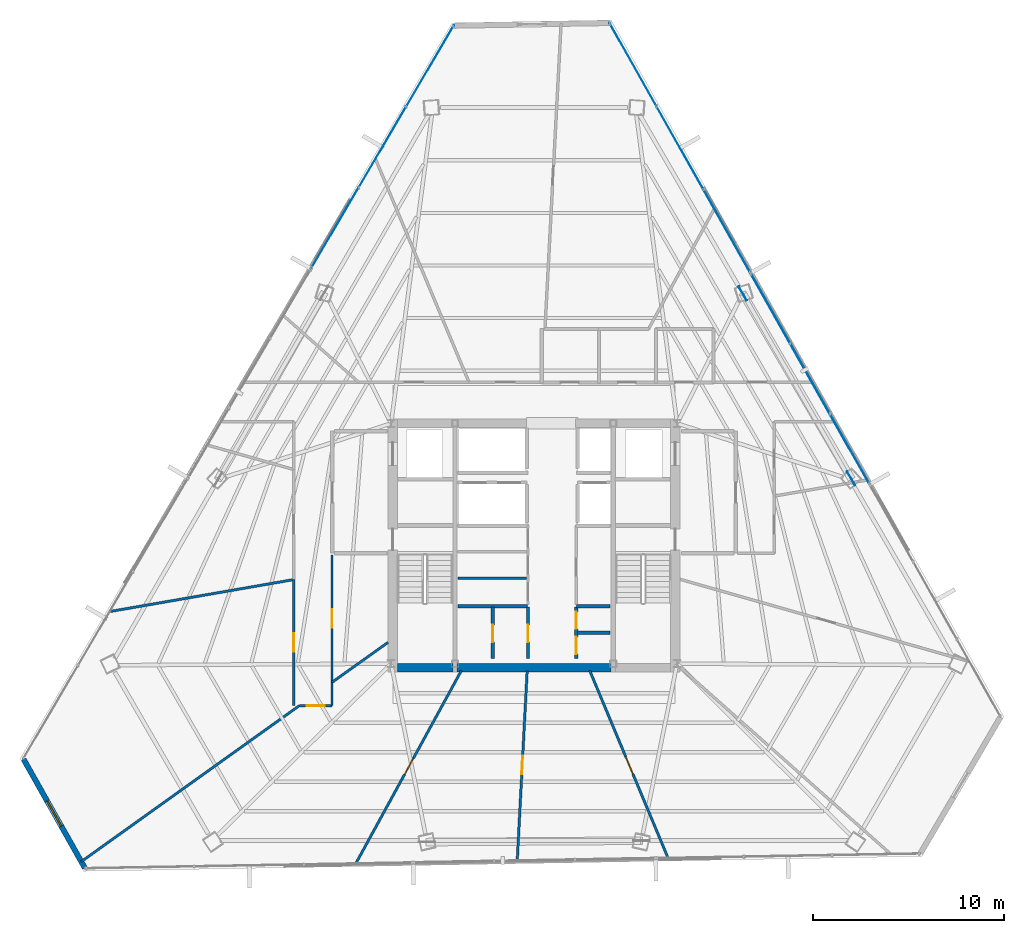
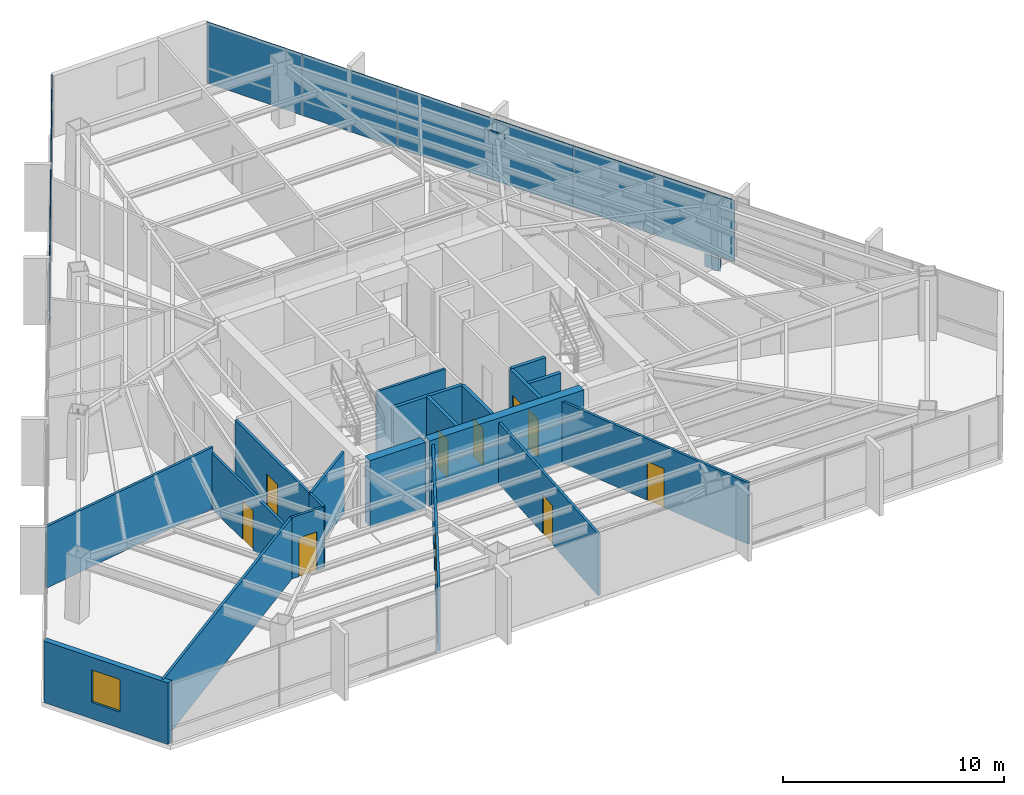
# One storey, part 35 of 42: 20 walls, 11 plates, 10 doors, 1 window, 11 openings, 3 elements without a shape of their own.
"""IFC4 building model written with IfcOpenShell, lengths in metres."""

from ifc_helpers import new_model, si_unit, direction, frame, frame_2d, origin, origin_2d, place, context, subcontext, project, spatial, rectangle, extrude, source, transform, mapped, material, layer, layer_set, type_object, type_shapes, element, fill, aggregate, save


model = new_model("IFC4")

# Units and contexts
model_context = context("Model", 3, precision=1e-05, world=origin(), true_north=direction((0.0, 1.0)))
body_context = subcontext(model_context, "Body", "Model", "MODEL_VIEW")
ifc_project = project(units=[si_unit("LENGTHUNIT", "METRE"), si_unit("AREAUNIT", "SQUARE_METRE"), si_unit("VOLUMEUNIT", "CUBIC_METRE"), si_unit("PLANEANGLEUNIT", "RADIAN"), si_unit("MASSUNIT", "GRAM", prefix="KILO")], contexts=[model_context])

# Site, building, storey
site_placement = place(None, origin())
site = spatial("IfcSite", under=ifc_project, at=site_placement, CompositionType="ELEMENT")
building_placement = place(site_placement, origin())
building = spatial("IfcBuilding", under=site, at=building_placement, Name="Caelisora Broadcast Tower", CompositionType="ELEMENT")
storey_placement = place(building_placement, frame((0.0, 0.0, 191.35009765625)))
storey = spatial("IfcBuildingStorey", under=building, at=storey_placement, Name="L50", CompositionType="ELEMENT", Elevation=191.35009765625)

# Plates
ifc_material_1 = material(Name="Steel Grade 350 L15 (AS/NZS 3678)", Category="steel")
ifc_layer_1 = layer(ifc_material_1, 0.0400390625, Name="Steel Grade 350 L15 (AS/NZS 3678)")
ifc_layer_set_1 = layer_set([ifc_layer_1], Name="Steel Grade 350 L15 (AS/NZS 3678)")
plate_type_1 = type_object("IfcPlateType", Name="GP04", PredefinedType="USERDEFINED", material=ifc_layer_set_1)
shared_shape_1 = source(origin(), body_context, "Body", "SweptSolid", [
    extrude(rectangle(XDim=0.85009765625, YDim=0.0400390625, at=origin_2d()), origin(), (0.0, 0.0, 1.0), 0.699951171875),
])
type_shapes(plate_type_1, [shared_shape_1])
for number, where, z_axis, x_axis, name in (
    (1, (54.625, 27.11767578125, -0.22998046875), (0.0, 0.0, 1.0), (-0.5, 0.866025403784, 0.0), "L50 gusset plate GP04 (ND-L50-C10B)"),
    (2, (48.941650390625, 36.81689453125, 2.72998046875), (0.0, 0.0, 1.0), (-0.5, 0.866025403784, 0.0), "L50 gusset plate GP04 (ND-L50-C11T)"),
):
    element("IfcPlate", number, at=place(storey_placement, frame(where, z_axis=z_axis, x_axis=x_axis)), inside=storey, type_object=plate_type_1, Name=name, ObjectType="GUSSET PLATE", PredefinedType="USERDEFINED", context=body_context, shape_type="MappedRepresentation", body=[
        mapped(shared_shape_1, transform((0.0, 0.0, 0.0), scale=1.0)),
    ])

# Curtain wall, plates
ifc_material_2 = material(Name="Unitised Aluminium and Low-E Glass Curtain Wall", Category="glass")
curtain_wall_type_1 = type_object("IfcCurtainWallType", Name="CW-Z4", PredefinedType="NOTDEFINED", material=ifc_material_2)
curtain_wall_1_placement = place(storey_placement, origin())
curtain_wall_1 = element("IfcCurtainWall", 3, at=curtain_wall_1_placement, inside=storey, type_object=curtain_wall_type_1, Name="L50 curtain wall CW-Z4", PredefinedType="NOTDEFINED")
ifc_material_3 = material(Name="Double Glazed Low-E Argon IGU", Category="glass")
ifc_layer_2 = layer(ifc_material_3, 0.030029296875, Name="Double Glazed Low-E Argon IGU")
ifc_layer_set_2 = layer_set([ifc_layer_2], Name="Double Glazed Low-E Argon IGU")
plate_type_2 = type_object("IfcPlateType", Name="CWP-05", PredefinedType="CURTAIN_PANEL", material=ifc_layer_set_2)
shared_shape_2 = source(origin(), body_context, "Body", "SweptSolid", [
    extrude(rectangle(XDim=5.016845703125, YDim=0.030029296875, at=origin_2d()), origin(), (0.0, 0.0, 1.0), 3.39990234375),
])
plate_1_placement = place(storey_placement, frame((43.189697265625, 48.82080078125, 0.0), z_axis=(0.0, 0.0, 1.0), x_axis=(0.491055801632, -0.871128118983, 0.0)))
plate_1 = element("IfcPlate", 4, at=plate_1_placement, type_object=plate_type_2, Name="L50-CW-B01 glazed panel #1", PredefinedType="CURTAIN_PANEL", context=body_context, shape_type="MappedRepresentation", body=[
    mapped(shared_shape_2, transform((0.0, 0.0, 0.0), scale=1.0)),
])
plate_2_placement = place(storey_placement, frame((45.6533203125, 44.450439453125, 0.0), z_axis=(0.0, 0.0, 1.0), x_axis=(0.491055801632, -0.871128118983, 0.0)))
plate_2 = element("IfcPlate", 5, at=plate_2_placement, type_object=plate_type_2, Name="L50-CW-B01 glazed panel #2", PredefinedType="CURTAIN_PANEL", context=body_context, shape_type="MappedRepresentation", body=[
    mapped(shared_shape_2, transform((0.0, 0.0, 0.0), scale=1.0)),
])
plate_3_placement = place(storey_placement, frame((48.11669921875, 40.080078125, 0.0), z_axis=(0.0, 0.0, 1.0), x_axis=(0.491055801632, -0.871128118983, 0.0)))
plate_3 = element("IfcPlate", 6, at=plate_3_placement, type_object=plate_type_2, Name="L50-CW-B01 glazed panel #3", PredefinedType="CURTAIN_PANEL", context=body_context, shape_type="MappedRepresentation", body=[
    mapped(shared_shape_2, transform((0.0, 0.0, 0.0), scale=1.0)),
])
aggregate(curtain_wall_1, [plate_1, plate_2, plate_3])

ifc_material_4 = material(Name="Unitised Aluminium Insulated Shadow-Box Spandrel Curtain Wall", Category="aluminium")
curtain_wall_type_2 = type_object("IfcCurtainWallType", Name="CW-SP2", PredefinedType="NOTDEFINED", material=ifc_material_4)
curtain_wall_2_placement = place(storey_placement, origin())
curtain_wall_2 = element("IfcCurtainWall", 7, at=curtain_wall_2_placement, inside=storey, type_object=curtain_wall_type_2, Name="L50 curtain wall CW-SP2", PredefinedType="NOTDEFINED")
ifc_material_5 = material(Name="Insulated Terracotta Shadow-Box Spandrel Panel", Category="aluminium")
ifc_layer_3 = layer(ifc_material_5, 0.0439453125, Name="Insulated Terracotta Shadow-Box Spandrel Panel")
ifc_layer_set_3 = layer_set([ifc_layer_3], Name="Insulated Terracotta Shadow-Box Spandrel Panel")
plate_type_3 = type_object("IfcPlateType", Name="CWP-10", PredefinedType="CURTAIN_PANEL", material=ifc_layer_set_3)
shared_shape_3 = source(origin(), body_context, "Body", "SweptSolid", [
    extrude(rectangle(XDim=4.23828125, YDim=0.0439453125, at=origin_2d()), origin(), (0.0, 0.0, 1.0), 3.39990234375),
])
type_shapes(plate_type_3, [shared_shape_3])
plate_4_placement = place(storey_placement, frame((50.39404296875, 36.040283203125, 0.0), z_axis=(0.0, 0.0, 1.0), x_axis=(0.491055801632, -0.871128118983, 0.0)))
plate_4 = element("IfcPlate", 8, at=plate_4_placement, type_object=plate_type_3, Name="L50-CW-B02 spandrel panel #1", PredefinedType="CURTAIN_PANEL", context=body_context, shape_type="MappedRepresentation", body=[
    mapped(shared_shape_3, transform((0.0, 0.0, 0.0), scale=1.0)),
])
plate_5_placement = place(storey_placement, frame((52.47509765625, 32.34814453125, 0.0), z_axis=(0.0, 0.0, 1.0), x_axis=(0.491055801632, -0.871128118983, 0.0)))
plate_5 = element("IfcPlate", 9, at=plate_5_placement, type_object=plate_type_3, Name="L50-CW-B02 spandrel panel #2", PredefinedType="CURTAIN_PANEL", context=body_context, shape_type="MappedRepresentation", body=[
    mapped(shared_shape_3, transform((0.0, 0.0, 0.0), scale=1.0)),
])
plate_6_placement = place(storey_placement, frame((54.55615234375, 28.65625, 0.0), z_axis=(0.0, 0.0, 1.0), x_axis=(0.491055801632, -0.871128118983, 0.0)))
plate_6 = element("IfcPlate", 10, at=plate_6_placement, type_object=plate_type_3, Name="L50-CW-B02 spandrel panel #3", PredefinedType="CURTAIN_PANEL", context=body_context, shape_type="MappedRepresentation", body=[
    mapped(shared_shape_3, transform((0.0, 0.0, 0.0), scale=1.0)),
])
aggregate(curtain_wall_2, [plate_4, plate_5, plate_6])

curtain_wall_3_placement = place(storey_placement, origin())
curtain_wall_3 = element("IfcCurtainWall", 11, at=curtain_wall_3_placement, inside=storey, type_object=curtain_wall_type_1, Name="L50 curtain wall CW-Z4", PredefinedType="NOTDEFINED")
shared_shape_4 = source(origin(), body_context, "Body", "SweptSolid", [
    extrude(rectangle(XDim=4.927001953125, YDim=0.030029296875, at=origin_2d()), origin(), (0.0, 0.0, 1.0), 3.39990234375),
])
type_shapes(plate_type_2, [shared_shape_2, shared_shape_4])
plate_7_placement = place(storey_placement, frame((27.54931640625, 40.2412109375, 0.0), z_axis=(0.0, 0.0, 1.0), x_axis=(0.506334807353, 0.862336977557, 0.0)))
plate_7 = element("IfcPlate", 12, at=plate_7_placement, type_object=plate_type_2, Name="L50-CW-B11 glazed panel #1", PredefinedType="CURTAIN_PANEL", context=body_context, shape_type="MappedRepresentation", body=[
    mapped(shared_shape_4, transform((0.0, 0.0, 0.0), scale=1.0)),
])
plate_8_placement = place(storey_placement, frame((30.0439453125, 44.489990234375, 0.0), z_axis=(0.0, 0.0, 1.0), x_axis=(0.506334807353, 0.862336977557, 0.0)))
plate_8 = element("IfcPlate", 13, at=plate_8_placement, type_object=plate_type_2, Name="L50-CW-B11 glazed panel #2", PredefinedType="CURTAIN_PANEL", context=body_context, shape_type="MappedRepresentation", body=[
    mapped(shared_shape_4, transform((0.0, 0.0, 0.0), scale=1.0)),
])
plate_9_placement = place(storey_placement, frame((32.538818359375, 48.738525390625, 0.0), z_axis=(0.0, 0.0, 1.0), x_axis=(0.506334807353, 0.862336977557, 0.0)))
plate_9 = element("IfcPlate", 14, at=plate_9_placement, type_object=plate_type_2, Name="L50-CW-B11 glazed panel #3", PredefinedType="CURTAIN_PANEL", context=body_context, shape_type="MappedRepresentation", body=[
    mapped(shared_shape_4, transform((0.0, 0.0, 0.0), scale=1.0)),
])
aggregate(curtain_wall_3, [plate_7, plate_8, plate_9])

# Walls
ifc_material_6 = material(Name="Concrete 50 MPa (AS 3600 S50)", Category="concrete")
ifc_layer_4 = layer(ifc_material_6, 0.449951171875, Name="Concrete 50 MPa (AS 3600 S50)")
ifc_layer_set_4 = layer_set([ifc_layer_4], Name="Concrete 50 MPa (AS 3600 S50)")
wall_type_1 = type_object("IfcWallType", Name="CW5", PredefinedType="SHEAR", material=ifc_layer_set_4)
wall_1_placement = place(storey_placement, frame((30.840087890625, 17.175048828125, 0.0), z_axis=(0.0, 0.0, 1.0), x_axis=(1.0, 0.0, 0.0)))
element("IfcWall", 15, at=wall_1_placement, inside=storey, type_object=wall_type_1, Name="L50 core shear wall CW5", PredefinedType="SHEAR", context=body_context, shape_type="SweptSolid", body=[
    extrude(rectangle(XDim=2.89990234375, YDim=0.449951171875, at=frame_2d((1.449951171875, 0.0))), origin(), (0.0, 0.0, 1.0), 3.64990234375),
])
wall_2_placement = place(storey_placement, frame((33.9599609375, 17.175048828125, 0.0), z_axis=(0.0, 0.0, 1.0), x_axis=(1.0, 0.0, 0.0)))
element("IfcWall", 16, at=wall_2_placement, inside=storey, type_object=wall_type_1, Name="L50 core shear wall CW5", PredefinedType="SHEAR", context=body_context, shape_type="SweptSolid", body=[
    extrude(rectangle(XDim=8.080078125, YDim=0.449951171875, at=frame_2d((4.0400390625, 0.0))), origin(), (0.0, 0.0, 1.0), 3.64990234375),
])

# Wall, opening, window
ifc_material_7 = material(Name="Insulated Terracotta Spandrel Wall System", Category="masonry")
ifc_layer_5 = layer(ifc_material_7, 0.280029296875, Name="Insulated Terracotta Spandrel Wall System")
ifc_layer_set_5 = layer_set([ifc_layer_5], Name="Insulated Terracotta Spandrel Wall System")
wall_type_2 = type_object("IfcWallType", Name="EW1", PredefinedType="STANDARD", material=ifc_layer_set_5)
wall_3_placement = place(storey_placement, frame((14.436279296875, 6.689208984375, 0.0), z_axis=(0.0, 0.0, 1.0), x_axis=(-0.491037270508, 0.871138564737, 0.0)))
wall_3 = element("IfcWall", 17, at=wall_3_placement, inside=storey, type_object=wall_type_2, Name="L50 exterior envelope wall EW1", PredefinedType="STANDARD", context=body_context, shape_type="SweptSolid", body=[
    extrude(rectangle(XDim=6.54052734375, YDim=0.280029296875, at=frame_2d((3.270263671875, 0.0))), origin(), (0.0, 0.0, 1.0), 3.39990234375),
])
opening_1_placement = place(wall_3_placement, frame((2.52001953125, 0.0, 0.89990234375)))
opening_1 = element("IfcOpeningElement", 18, at=opening_1_placement, cuts=wall_3, Name="Opening W02", PredefinedType="OPENING", context=body_context, shape_type="SweptSolid", body=[
    extrude(rectangle(XDim=1.5, YDim=1.800048828125, at=frame_2d((0.75, 0.89990234375))), frame((0.0, 0.152099609375, 0.0), z_axis=(0.0, -1.0, 0.0), x_axis=(1.0, 0.0, 0.0)), (0.0, 0.0, 1.0), 0.303955078125),
])
ifc_material_8 = material(Name="Double Glazed Terracotta-Framed Vision Window", Category="glass")
window_type = type_object("IfcWindowType", Name="W02", PartitioningType="SINGLE_PANEL", PredefinedType="WINDOW", material=ifc_material_8)
window_placement = place(opening_1_placement, origin())
window = element("IfcWindow", 19, at=window_placement, inside=storey, type_object=window_type, Name="L50 window W02 (L50-WN-CH4)", OverallHeight=1.800048828125, OverallWidth=1.5, PartitioningType="SINGLE_PANEL", PredefinedType="WINDOW", context=body_context, shape_type="SweptSolid", body=[
    extrude(rectangle(XDim=1.5, YDim=1.800048828125, at=frame_2d((0.75, 0.89990234375))), frame((0.0, 0.030029296875, 0.0), z_axis=(0.0, -1.0, 0.0), x_axis=(1.0, 0.0, 0.0)), (0.0, 0.0, 1.0), 0.06005859375),
])
fill(opening_1, window)

# Walls
ifc_material_9 = material(Name="Fire-Rated Gypsum Shaft and Compartment Wall", Category="gypsum")
ifc_layer_6 = layer(ifc_material_9, 0.179931640625, Name="Fire-Rated Gypsum Shaft and Compartment Wall")
ifc_layer_set_6 = layer_set([ifc_layer_6], Name="Fire-Rated Gypsum Shaft and Compartment Wall")
wall_type_3 = type_object("IfcWallType", Name="PW2", PredefinedType="PARTITIONING", material=ifc_layer_set_6)
wall_4_placement = place(storey_placement, frame((34.02001953125, 20.419921875, 0.0), z_axis=(0.0, 0.0, 1.0), x_axis=(1.0, 0.0, 0.0)))
element("IfcWall", 20, at=wall_4_placement, inside=storey, type_object=wall_type_3, Name="L50 fire compartment wall PW2", PredefinedType="PARTITIONING", context=body_context, shape_type="SweptSolid", body=[
    extrude(rectangle(XDim=3.639892578125, YDim=0.179931640625, at=frame_2d((1.81982421875, 0.0))), origin(), (0.0, 0.0, 1.0), 3.39990234375),
])
wall_5_placement = place(storey_placement, frame((40.219970703125, 20.419921875, 0.0), z_axis=(0.0, 0.0, 1.0), x_axis=(1.0, 0.0, 0.0)))
element("IfcWall", 21, at=wall_5_placement, inside=storey, type_object=wall_type_3, Name="L50 fire compartment wall PW2", PredefinedType="PARTITIONING", context=body_context, shape_type="SweptSolid", body=[
    extrude(rectangle(XDim=1.760009765625, YDim=0.179931640625, at=frame_2d((0.8798828125, 0.0))), origin(), (0.0, 0.0, 1.0), 3.39990234375),
])

# Wall, opening, door
wall_6_placement = place(storey_placement, frame((35.840087890625, 17.679931640625, 0.0), z_axis=(0.0, 0.0, 1.0), x_axis=(0.0, 1.0, 0.0)))
wall_6 = element("IfcWall", 22, at=wall_6_placement, inside=storey, type_object=wall_type_3, Name="L50 fire compartment wall PW2", PredefinedType="PARTITIONING", context=body_context, shape_type="SweptSolid", body=[
    extrude(rectangle(XDim=2.699951171875, YDim=0.179931640625, at=frame_2d((1.35009765625, 0.0))), origin(), (0.0, 0.0, 1.0), 3.39990234375),
])
opening_2_placement = place(wall_6_placement, frame((0.85009765625, 0.0, 0.0)))
opening_2 = element("IfcOpeningElement", 23, at=opening_2_placement, cuts=wall_6, Name="Opening FD03", PredefinedType="OPENING", context=body_context, shape_type="SweptSolid", body=[
    extrude(rectangle(XDim=0.89990234375, YDim=2.10009765625, at=frame_2d((0.449951171875, 1.050048828125))), frame((0.0, 0.10205078125, 0.0), z_axis=(0.0, -1.0, 0.0), x_axis=(1.0, 0.0, 0.0)), (0.0, 0.0, 1.0), 0.203857421875),
])
ifc_material_10 = material(Name="Single-Leaf Steel Riser Fire Access Door", Category="steel")
door_type_1 = type_object("IfcDoorType", Name="FD03", OperationType="NOTDEFINED", PredefinedType="DOOR", material=ifc_material_10)
door_1_placement = place(opening_2_placement, origin())
door_1 = element("IfcDoor", 24, at=door_1_placement, inside=storey, type_object=door_type_1, Name="L50 door FD03 (L50-DR-P15D1)", OperationType="SINGLE_SWING_RIGHT", OverallHeight=2.10009765625, OverallWidth=0.89990234375, PredefinedType="DOOR", context=body_context, shape_type="SweptSolid", body=[
    extrude(rectangle(XDim=0.89990234375, YDim=2.10009765625, at=frame_2d((0.449951171875, 1.050048828125))), frame((0.0, 0.02490234375, 0.0), z_axis=(0.0, -1.0, 0.0), x_axis=(1.0, 0.0, 0.0)), (0.0, 0.0, 1.0), 0.050048828125),
])
fill(opening_2, door_1)

wall_7_placement = place(storey_placement, frame((37.679931640625, 17.679931640625, 0.0), z_axis=(0.0, 0.0, 1.0), x_axis=(0.0, 1.0, 0.0)))
wall_7 = element("IfcWall", 25, at=wall_7_placement, inside=storey, type_object=wall_type_3, Name="L50 fire compartment wall PW2", PredefinedType="PARTITIONING", context=body_context, shape_type="SweptSolid", body=[
    extrude(rectangle(XDim=2.699951171875, YDim=0.179931640625, at=frame_2d((1.35009765625, 0.0))), origin(), (0.0, 0.0, 1.0), 3.39990234375),
])
opening_3_placement = place(wall_7_placement, frame((0.85009765625, 0.0, 0.0)))
opening_3 = element("IfcOpeningElement", 26, at=opening_3_placement, cuts=wall_7, Name="Opening FD03", PredefinedType="OPENING", context=body_context, shape_type="SweptSolid", body=[
    extrude(rectangle(XDim=0.89990234375, YDim=2.10009765625, at=frame_2d((0.449951171875, 1.050048828125))), frame((0.0, 0.10205078125, 0.0), z_axis=(0.0, -1.0, 0.0), x_axis=(1.0, 0.0, 0.0)), (0.0, 0.0, 1.0), 0.203857421875),
])
door_2_placement = place(opening_3_placement, origin())
door_2 = element("IfcDoor", 27, at=door_2_placement, inside=storey, type_object=door_type_1, Name="L50 door FD03 (L50-DR-P16D1)", OperationType="SINGLE_SWING_LEFT", OverallHeight=2.10009765625, OverallWidth=0.89990234375, PredefinedType="DOOR", context=body_context, shape_type="SweptSolid", body=[
    extrude(rectangle(XDim=0.89990234375, YDim=2.10009765625, at=frame_2d((0.449951171875, 1.050048828125))), frame((0.0, 0.02490234375, 0.0), z_axis=(0.0, -1.0, 0.0), x_axis=(1.0, 0.0, 0.0)), (0.0, 0.0, 1.0), 0.050048828125),
])
fill(opening_3, door_2)

# Wall
wall_8_placement = place(storey_placement, frame((40.280029296875, 19.02001953125, 0.0), z_axis=(0.0, 0.0, 1.0), x_axis=(1.0, 0.0, 0.0)))
element("IfcWall", 28, at=wall_8_placement, inside=storey, type_object=wall_type_3, Name="L50 fire compartment wall PW2", PredefinedType="PARTITIONING", context=body_context, shape_type="SweptSolid", body=[
    extrude(rectangle(XDim=1.699951171875, YDim=0.179931640625, at=frame_2d((0.85009765625, 0.0))), origin(), (0.0, 0.0, 1.0), 3.39990234375),
])

# Wall, openings, doors
wall_9_placement = place(storey_placement, frame((40.199951171875, 17.679931640625, 0.0), z_axis=(0.0, 0.0, 1.0), x_axis=(0.0, 1.0, 0.0)))
wall_9 = element("IfcWall", 29, at=wall_9_placement, inside=storey, type_object=wall_type_3, Name="L50 fire compartment wall PW2", PredefinedType="PARTITIONING", context=body_context, shape_type="SweptSolid", body=[
    extrude(rectangle(XDim=2.699951171875, YDim=0.179931640625, at=frame_2d((1.35009765625, 0.0))), origin(), (0.0, 0.0, 1.0), 3.39990234375),
])
opening_4_placement = place(wall_9_placement, frame((0.219970703125, 0.0, 0.0)))
opening_4 = element("IfcOpeningElement", 30, at=opening_4_placement, cuts=wall_9, Name="Opening FD03", PredefinedType="OPENING", context=body_context, shape_type="SweptSolid", body=[
    extrude(rectangle(XDim=0.89990234375, YDim=2.10009765625, at=frame_2d((0.449951171875, 1.050048828125))), frame((0.0, 0.10205078125, 0.0), z_axis=(0.0, -1.0, 0.0), x_axis=(1.0, 0.0, 0.0)), (0.0, 0.0, 1.0), 0.203857421875),
])
opening_5_placement = place(wall_9_placement, frame((1.5400390625, 0.0, 0.0)))
opening_5 = element("IfcOpeningElement", 31, at=opening_5_placement, cuts=wall_9, Name="Opening FD03", PredefinedType="OPENING", context=body_context, shape_type="SweptSolid", body=[
    extrude(rectangle(XDim=0.89990234375, YDim=2.10009765625, at=frame_2d((0.449951171875, 1.050048828125))), frame((0.0, 0.10205078125, 0.0), z_axis=(0.0, -1.0, 0.0), x_axis=(1.0, 0.0, 0.0)), (0.0, 0.0, 1.0), 0.203857421875),
])
door_3_placement = place(opening_4_placement, origin())
door_3 = element("IfcDoor", 32, at=door_3_placement, inside=storey, type_object=door_type_1, Name="L50 door FD03 (L50-DR-P18D1)", OperationType="SINGLE_SWING_RIGHT", OverallHeight=2.10009765625, OverallWidth=0.89990234375, PredefinedType="DOOR", context=body_context, shape_type="SweptSolid", body=[
    extrude(rectangle(XDim=0.89990234375, YDim=2.10009765625, at=frame_2d((0.449951171875, 1.050048828125))), frame((0.0, 0.02490234375, 0.0), z_axis=(0.0, -1.0, 0.0), x_axis=(1.0, 0.0, 0.0)), (0.0, 0.0, 1.0), 0.050048828125),
])
fill(opening_4, door_3)
door_4_placement = place(opening_5_placement, origin())
door_4 = element("IfcDoor", 33, at=door_4_placement, inside=storey, type_object=door_type_1, Name="L50 door FD03 (L50-DR-P18D2)", OperationType="SINGLE_SWING_LEFT", OverallHeight=2.10009765625, OverallWidth=0.89990234375, PredefinedType="DOOR", context=body_context, shape_type="SweptSolid", body=[
    extrude(rectangle(XDim=0.89990234375, YDim=2.10009765625, at=frame_2d((0.449951171875, 1.050048828125))), frame((0.0, 0.02490234375, 0.0), z_axis=(0.0, -1.0, 0.0), x_axis=(1.0, 0.0, 0.0)), (0.0, 0.0, 1.0), 0.050048828125),
])
fill(opening_5, door_4)

# Walls
ifc_material_11 = material(Name="Acoustic Steel-Stud Plasterboard Partition", Category="gypsum")
ifc_layer_7 = layer(ifc_material_11, 0.1298828125, Name="Acoustic Steel-Stud Plasterboard Partition")
ifc_layer_set_7 = layer_set([ifc_layer_7], Name="Acoustic Steel-Stud Plasterboard Partition")
wall_type_4 = type_object("IfcWallType", Name="PW3", PredefinedType="PARTITIONING", material=ifc_layer_set_7)
wall_10_placement = place(storey_placement, frame((34.02001953125, 21.8798828125, 0.0), z_axis=(0.0, 0.0, 1.0), x_axis=(1.0, 0.0, 0.0)))
element("IfcWall", 34, at=wall_10_placement, inside=storey, type_object=wall_type_4, Name="L50 internal partition PW3", PredefinedType="PARTITIONING", context=body_context, shape_type="SweptSolid", body=[
    extrude(rectangle(XDim=3.580078125, YDim=0.1298828125, at=frame_2d((1.7900390625, 0.0))), origin(), (0.0, 0.0, 1.0), 3.39990234375),
])
wall_11_placement = place(storey_placement, frame((14.24658203125, 7.014892578125, 0.0), z_axis=(0.0, 0.0, 1.0), x_axis=(0.813360325702, 0.581760243204, 0.0)))
element("IfcWall", 35, at=wall_11_placement, inside=storey, type_object=wall_type_4, Name="L50 internal partition PW3", PredefinedType="PARTITIONING", context=body_context, shape_type="SweptSolid", body=[
    extrude(rectangle(XDim=14.064453125, YDim=0.1298828125, at=frame_2d((7.0322265625, 0.0))), origin(), (0.0, 0.0, 1.0), 3.39990234375),
])

# Wall, opening, door
wall_12_placement = place(storey_placement, frame((28.64404296875, 6.90869140625, 0.0), z_axis=(0.0, 0.0, 1.0), x_axis=(0.479998822193, 0.877269132418, 0.0)))
wall_12 = element("IfcWall", 36, at=wall_12_placement, inside=storey, type_object=wall_type_4, Name="L50 internal partition PW3", PredefinedType="PARTITIONING", context=body_context, shape_type="SweptSolid", body=[
    extrude(rectangle(XDim=11.541748046875, YDim=0.1298828125, at=frame_2d((5.77099609375, 0.0))), origin(), (0.0, 0.0, 1.0), 3.39990234375),
])
opening_6_placement = place(wall_12_placement, frame((5.346923828125, 0.0, 0.0)))
opening_6 = element("IfcOpeningElement", 37, at=opening_6_placement, cuts=wall_12, Name="Opening D01", PredefinedType="OPENING", context=body_context, shape_type="SweptSolid", body=[
    extrude(rectangle(XDim=0.9599609375, YDim=2.14990234375, at=frame_2d((0.47998046875, 1.074951171875))), frame((0.0, 0.076904296875, 0.0), z_axis=(0.0, -1.0, 0.0), x_axis=(1.0, 0.0, 0.0)), (0.0, 0.0, 1.0), 0.15380859375),
])
ifc_material_12 = material(Name="Solid-Core Timber Acoustic Office Door", Category="wood")
door_type_2 = type_object("IfcDoorType", Name="D01", OperationType="NOTDEFINED", PredefinedType="DOOR", material=ifc_material_12)
door_5_placement = place(opening_6_placement, origin())
door_5 = element("IfcDoor", 38, at=door_5_placement, inside=storey, type_object=door_type_2, Name="L50 door D01 (L50-DR-P34D1)", OperationType="SINGLE_SWING_LEFT", OverallHeight=2.14990234375, OverallWidth=0.9599609375, PredefinedType="DOOR", context=body_context, shape_type="SweptSolid", body=[
    extrude(rectangle(XDim=0.9599609375, YDim=2.14990234375, at=frame_2d((0.47998046875, 1.074951171875))), frame((0.0, 0.02490234375, 0.0), z_axis=(0.0, -1.0, 0.0), x_axis=(1.0, 0.0, 0.0)), (0.0, 0.0, 1.0), 0.050048828125),
])
fill(opening_6, door_5)

wall_13_placement = place(storey_placement, frame((40.9189453125, 17.031005859375, 0.0), z_axis=(0.0, 0.0, 1.0), x_axis=(0.385652967591, -0.922643912129, 0.0)))
wall_13 = element("IfcWall", 39, at=wall_13_placement, inside=storey, type_object=wall_type_4, Name="L50 internal partition PW3", PredefinedType="PARTITIONING", context=body_context, shape_type="SweptSolid", body=[
    extrude(rectangle(XDim=10.656982421875, YDim=0.1298828125, at=frame_2d((5.32861328125, 0.0))), origin(), (0.0, 0.0, 1.0), 3.39990234375),
])
opening_7_placement = place(wall_13_placement, frame((4.902099609375, 0.0, 0.0)))
opening_7 = element("IfcOpeningElement", 40, at=opening_7_placement, cuts=wall_13, Name="Opening D01", PredefinedType="OPENING", context=body_context, shape_type="SweptSolid", body=[
    extrude(rectangle(XDim=0.9599609375, YDim=2.14990234375, at=frame_2d((0.47998046875, 1.074951171875))), frame((0.0, 0.076904296875, 0.0), z_axis=(0.0, -1.0, 0.0), x_axis=(1.0, 0.0, 0.0)), (0.0, 0.0, 1.0), 0.15380859375),
])
door_6_placement = place(opening_7_placement, origin())
door_6 = element("IfcDoor", 41, at=door_6_placement, inside=storey, type_object=door_type_2, Name="L50 door D01 (L50-DR-P35D1)", OperationType="SINGLE_SWING_RIGHT", OverallHeight=2.14990234375, OverallWidth=0.9599609375, PredefinedType="DOOR", context=body_context, shape_type="SweptSolid", body=[
    extrude(rectangle(XDim=0.9599609375, YDim=2.14990234375, at=frame_2d((0.47998046875, 1.074951171875))), frame((0.0, 0.02490234375, 0.0), z_axis=(0.0, -1.0, 0.0), x_axis=(1.0, 0.0, 0.0)), (0.0, 0.0, 1.0), 0.050048828125),
])
fill(opening_7, door_6)

wall_14_placement = place(storey_placement, frame((37.114990234375, 7.05859375, 0.0), z_axis=(0.0, 0.0, 1.0), x_axis=(0.052204451421, 0.998636417948, 0.0)))
wall_14 = element("IfcWall", 42, at=wall_14_placement, inside=storey, type_object=wall_type_4, Name="L50 internal partition PW3", PredefinedType="PARTITIONING", context=body_context, shape_type="SweptSolid", body=[
    extrude(rectangle(XDim=9.97998046875, YDim=0.1298828125, at=frame_2d((4.989990234375, 0.0))), origin(), (0.0, 0.0, 1.0), 3.39990234375),
])
opening_8_placement = place(wall_14_placement, frame((4.55908203125, 0.0, 0.0)))
opening_8 = element("IfcOpeningElement", 43, at=opening_8_placement, cuts=wall_14, Name="Opening D01", PredefinedType="OPENING", context=body_context, shape_type="SweptSolid", body=[
    extrude(rectangle(XDim=0.9599609375, YDim=2.14990234375, at=frame_2d((0.47998046875, 1.074951171875))), frame((0.0, 0.076904296875, 0.0), z_axis=(0.0, -1.0, 0.0), x_axis=(1.0, 0.0, 0.0)), (0.0, 0.0, 1.0), 0.15380859375),
])
door_7_placement = place(opening_8_placement, origin())
door_7 = element("IfcDoor", 44, at=door_7_placement, inside=storey, type_object=door_type_2, Name="L50 door D01 (L50-DR-P37D1)", OperationType="SINGLE_SWING_LEFT", OverallHeight=2.14990234375, OverallWidth=0.9599609375, PredefinedType="DOOR", context=body_context, shape_type="SweptSolid", body=[
    extrude(rectangle(XDim=0.9599609375, YDim=2.14990234375, at=frame_2d((0.47998046875, 1.074951171875))), frame((0.0, 0.02490234375, 0.0), z_axis=(0.0, -1.0, 0.0), x_axis=(1.0, 0.0, 0.0)), (0.0, 0.0, 1.0), 0.050048828125),
])
fill(opening_8, door_7)

# Wall
wall_15_placement = place(storey_placement, frame((15.736083984375, 20.1318359375, 0.0), z_axis=(0.0, 0.0, 1.0), x_axis=(0.985255954208, 0.171086833794, 0.0)))
element("IfcWall", 45, at=wall_15_placement, inside=storey, type_object=wall_type_4, Name="L50 internal partition PW3", PredefinedType="PARTITIONING", context=body_context, shape_type="SweptSolid", body=[
    extrude(rectangle(XDim=9.803466796875, YDim=0.1298828125, at=frame_2d((4.90185546875, 0.0))), origin(), (0.0, 0.0, 1.0), 3.39990234375),
])

# Wall, opening, door
wall_16_placement = place(storey_placement, frame((27.39990234375, 16.425048828125, 0.0), z_axis=(0.0, 0.0, 1.0), x_axis=(0.0, 1.0, 0.0)))
wall_16 = element("IfcWall", 46, at=wall_16_placement, inside=storey, type_object=wall_type_4, Name="L50 internal partition PW3", PredefinedType="PARTITIONING", context=body_context, shape_type="SweptSolid", body=[
    extrude(rectangle(XDim=6.679931640625, YDim=0.1298828125, at=frame_2d((3.33984375, 0.0))), origin(), (0.0, 0.0, 1.0), 3.39990234375),
])
opening_9_placement = place(wall_16_placement, frame((2.860107421875, 0.0, 0.0)))
opening_9 = element("IfcOpeningElement", 47, at=opening_9_placement, cuts=wall_16, Name="Opening D01", PredefinedType="OPENING", context=body_context, shape_type="SweptSolid", body=[
    extrude(rectangle(XDim=0.9599609375, YDim=2.14990234375, at=frame_2d((0.47998046875, 1.074951171875))), frame((0.0, 0.076904296875, 0.0), z_axis=(0.0, -1.0, 0.0), x_axis=(1.0, 0.0, 0.0)), (0.0, 0.0, 1.0), 0.15380859375),
])
door_8_placement = place(opening_9_placement, origin())
door_8 = element("IfcDoor", 48, at=door_8_placement, inside=storey, type_object=door_type_2, Name="L50 door D01 (L50-DR-P41D1)", OperationType="SINGLE_SWING_RIGHT", OverallHeight=2.14990234375, OverallWidth=0.9599609375, PredefinedType="DOOR", context=body_context, shape_type="SweptSolid", body=[
    extrude(rectangle(XDim=0.9599609375, YDim=2.14990234375, at=frame_2d((0.47998046875, 1.074951171875))), frame((0.0, 0.02490234375, 0.0), z_axis=(0.0, -1.0, 0.0), x_axis=(1.0, 0.0, 0.0)), (0.0, 0.0, 1.0), 0.050048828125),
])
fill(opening_9, door_8)

wall_17_placement = place(storey_placement, frame((25.39990234375, 21.804931640625, 0.0), z_axis=(0.0, 0.0, 1.0), x_axis=(0.0, -1.0, 0.0)))
wall_17 = element("IfcWall", 49, at=wall_17_placement, inside=storey, type_object=wall_type_4, Name="L50 internal partition PW3", PredefinedType="PARTITIONING", context=body_context, shape_type="SweptSolid", body=[
    extrude(rectangle(XDim=6.599853515625, YDim=0.1298828125, at=frame_2d((3.2998046875, 0.0))), origin(), (0.0, 0.0, 1.0), 3.07763671875),
])
opening_10_placement = place(wall_17_placement, frame((2.820068359375, 0.0, 0.0)))
opening_10 = element("IfcOpeningElement", 50, at=opening_10_placement, cuts=wall_17, Name="Opening D01", PredefinedType="OPENING", context=body_context, shape_type="SweptSolid", body=[
    extrude(rectangle(XDim=0.9599609375, YDim=2.14990234375, at=frame_2d((0.47998046875, 1.074951171875))), frame((0.0, 0.076904296875, 0.0), z_axis=(0.0, -1.0, 0.0), x_axis=(1.0, 0.0, 0.0)), (0.0, 0.0, 1.0), 0.15380859375),
])
door_9_placement = place(opening_10_placement, origin())
door_9 = element("IfcDoor", 51, at=door_9_placement, inside=storey, type_object=door_type_2, Name="L50 door D01 (L50-DR-P42D1)", OperationType="SINGLE_SWING_LEFT", OverallHeight=2.14990234375, OverallWidth=0.9599609375, PredefinedType="DOOR", context=body_context, shape_type="SweptSolid", body=[
    extrude(rectangle(XDim=0.9599609375, YDim=2.14990234375, at=frame_2d((0.47998046875, 1.074951171875))), frame((0.0, 0.02490234375, 0.0), z_axis=(0.0, -1.0, 0.0), x_axis=(1.0, 0.0, 0.0)), (0.0, 0.0, 1.0), 0.050048828125),
])
fill(opening_10, door_9)

# Wall
wall_18_placement = place(storey_placement, frame((27.404052734375, 16.423095703125, 0.0), z_axis=(0.0, 0.0, 1.0), x_axis=(0.81418624732, 0.580603784585, 0.0)))
element("IfcWall", 52, at=wall_18_placement, inside=storey, type_object=wall_type_4, Name="L50 internal partition PW3", PredefinedType="PARTITIONING", context=body_context, shape_type="SweptSolid", body=[
    extrude(rectangle(XDim=3.60498046875, YDim=0.1298828125, at=frame_2d((1.802490234375, 0.0))), origin(), (0.0, 0.0, 1.0), 3.39990234375),
])

# Wall, opening, door
wall_19_placement = place(storey_placement, frame((25.695068359375, 15.199951171875, 0.0), z_axis=(0.0, 0.0, 1.0), x_axis=(1.0, 0.0, 0.0)))
wall_19 = element("IfcWall", 53, at=wall_19_placement, inside=storey, type_object=wall_type_4, Name="L50 internal partition PW3", PredefinedType="PARTITIONING", context=body_context, shape_type="SweptSolid", body=[
    extrude(rectangle(XDim=1.699951171875, YDim=0.1298828125, at=frame_2d((0.85009765625, 0.0))), origin(), (0.0, 0.0, 1.0), 3.39990234375),
])
opening_11_placement = place(wall_19_placement, frame((0.3701171875, 0.0, 0.0)))
opening_11 = element("IfcOpeningElement", 54, at=opening_11_placement, cuts=wall_19, Name="Opening D01", PredefinedType="OPENING", context=body_context, shape_type="SweptSolid", body=[
    extrude(rectangle(XDim=0.9599609375, YDim=2.14990234375, at=frame_2d((0.47998046875, 1.074951171875))), frame((0.0, 0.076904296875, 0.0), z_axis=(0.0, -1.0, 0.0), x_axis=(1.0, 0.0, 0.0)), (0.0, 0.0, 1.0), 0.15380859375),
])
door_10_placement = place(opening_11_placement, origin())
door_10 = element("IfcDoor", 55, at=door_10_placement, inside=storey, type_object=door_type_2, Name="L50 door D01 (L50-DR-P58D1)", OperationType="SINGLE_SWING_RIGHT", OverallHeight=2.14990234375, OverallWidth=0.9599609375, PredefinedType="DOOR", context=body_context, shape_type="SweptSolid", body=[
    extrude(rectangle(XDim=0.9599609375, YDim=2.14990234375, at=frame_2d((0.47998046875, 1.074951171875))), frame((0.0, 0.02490234375, 0.0), z_axis=(0.0, -1.0, 0.0), x_axis=(1.0, 0.0, 0.0)), (0.0, 0.0, 1.0), 0.050048828125),
])
fill(opening_11, door_10)

# Wall
wall_20_placement = place(storey_placement, frame((27.39990234375, 15.205078125, 0.0), z_axis=(0.0, 0.0, 1.0), x_axis=(0.0, 1.0, 0.0)))
element("IfcWall", 56, at=wall_20_placement, inside=storey, type_object=wall_type_4, Name="L50 internal partition PW3", PredefinedType="PARTITIONING", context=body_context, shape_type="SweptSolid", body=[
    extrude(rectangle(XDim=1.2099609375, YDim=0.1298828125, at=frame_2d((0.60498046875, 0.0))), origin(), (0.0, 0.0, 1.0), 3.39990234375),
])

save(model, "model.ifc")
